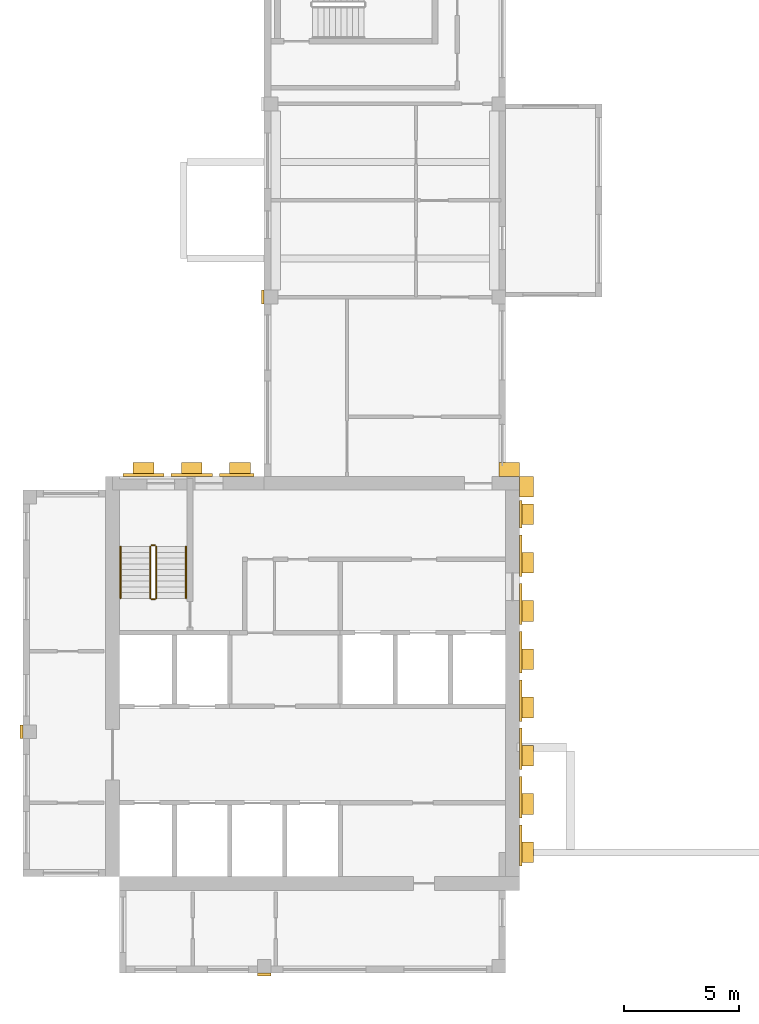
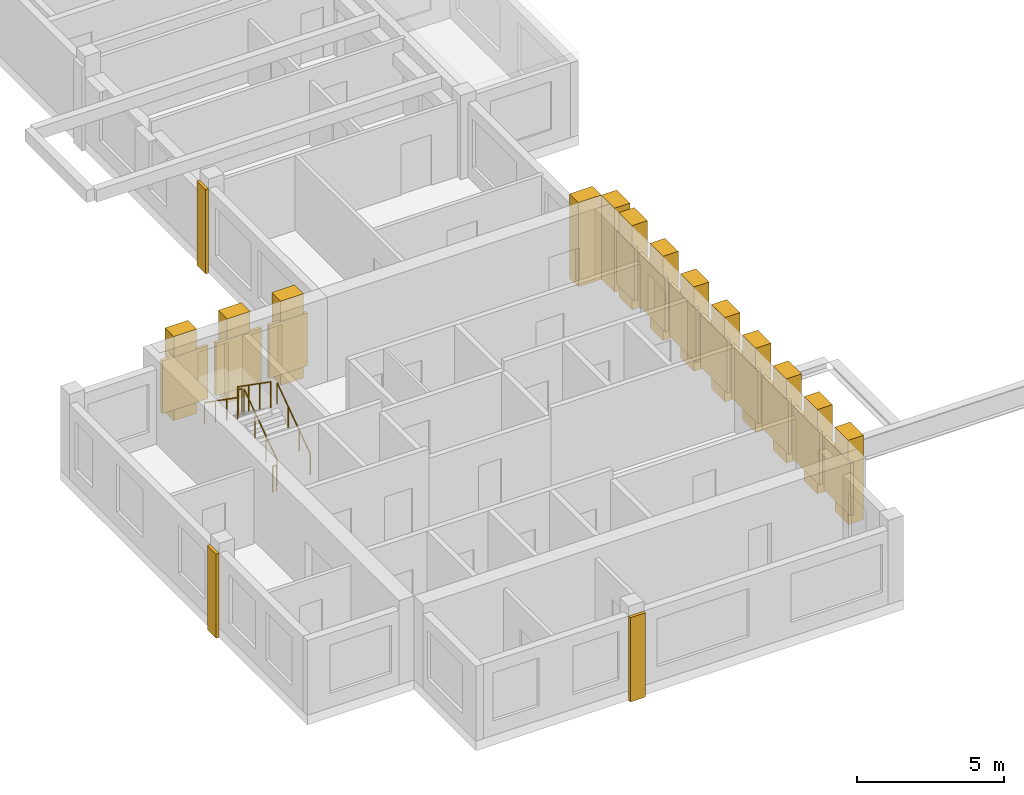
# One storey, part 6 of 8: 27 coverings, 6 railings.
"""IFC4 building model written with IfcOpenShell, lengths in metres."""

import ifcopenshell
import ifcopenshell.guid

model = None  # the IFC model being written
_history = None  # IfcOwnerHistory: only IFC2X3 demands one
_inside = {}  # id of a spatial element -> (the spatial element, [elements in it])
_under = {}  # id of a project, library or spatial element -> (it, [spatial elements below it])
_declared = {}  # id of a project -> (the project, [libraries it declares])
_typed = {}  # id of a type object -> (the type object, [elements of that type])
_made_of = {}  # id of a material, layer set ... -> (it, [elements and type objects made of it])


def new_model(schema):
    """Start an empty IFC model of exactly this schema.

    Asked for "IFC4X3", IfcOpenShell would pick the latest addendum, in which some entities
    have other attributes; the version numbers below select the first issue.
    IFC2X3 requires an IfcOwnerHistory on every rooted entity: one is made here for all.
    """
    global model, _history
    if schema == "IFC4X3":
        model = ifcopenshell.file(schema_version=(4, 3, 0, 0))
    else:
        model = ifcopenshell.file(schema=schema)
    _inside.clear()
    _under.clear()
    _declared.clear()
    _typed.clear()
    _made_of.clear()
    _history = None
    if model.schema == "IFC2X3":
        org = make("IfcOrganization", Name="unknown")
        user = make(
            "IfcPersonAndOrganization",
            ThePerson=make("IfcPerson", FamilyName="unknown"),
            TheOrganization=org,
        )
        app = make(
            "IfcApplication",
            ApplicationDeveloper=org,
            Version="unknown",
            ApplicationFullName="unknown",
            ApplicationIdentifier="unknown",
        )
        _history = make(
            "IfcOwnerHistory",
            OwningUser=user,
            OwningApplication=app,
            ChangeAction="ADDED",
            CreationDate=0,
        )
    return model


def make(cls, **values):
    """One entity of the class cls with the attributes given. An attribute that is None is left unset."""
    return model.create_entity(
        cls, **{name: value for name, value in values.items() if value is not None}
    )


def rooted(cls, **values):
    """An entity with a GlobalId (a new one), such as an element, a storey or a relation."""
    return make(cls, GlobalId=ifcopenshell.guid.new(), OwnerHistory=_history, **values)


def si_unit(unit_type, name, prefix=None):
    """IfcSIUnit, for example si_unit("LENGTHUNIT", "METRE", prefix="MILLI")."""
    return make("IfcSIUnit", UnitType=unit_type, Prefix=prefix, Name=name)


def assignment(units):
    """IfcUnitAssignment: the units of a project."""
    return None if units is None else make("IfcUnitAssignment", Units=units)


def point(xyz):
    """IfcCartesianPoint."""
    return None if xyz is None else make("IfcCartesianPoint", Coordinates=xyz)


def direction(xyz):
    """IfcDirection."""
    return None if xyz is None else make("IfcDirection", DirectionRatios=xyz)


def frame(location, z_axis=None, x_axis=None):
    """IfcAxis2Placement3D, a coordinate frame: its origin and axes. An axis left out is left unset."""
    return make(
        "IfcAxis2Placement3D",
        Location=point(location),
        Axis=direction(z_axis),
        RefDirection=direction(x_axis),
    )


def frame_2d(location, x_axis=None):
    """IfcAxis2Placement2D, a coordinate frame in the plane: its origin and x axis."""
    return make(
        "IfcAxis2Placement2D", Location=point(location), RefDirection=direction(x_axis)
    )


def origin():
    """The frame at (0, 0, 0) with its axes left unset."""
    return frame((0.0, 0.0, 0.0))


def origin_2d():
    """The frame at (0, 0) in the plane with its x axis left unset."""
    return frame_2d((0.0, 0.0))


def place(relative_to, where):
    """IfcLocalPlacement: puts the frame where relative to a parent placement (None: the world)."""
    return make(
        "IfcLocalPlacement", PlacementRelTo=relative_to, RelativePlacement=where
    )


def context(
    kind, dimensions, precision=None, world=None, true_north=None, identifier=None
):
    """IfcGeometricRepresentationContext, for example the 3D "Model" context."""
    return make(
        "IfcGeometricRepresentationContext",
        ContextIdentifier=identifier,
        ContextType=kind,
        CoordinateSpaceDimension=dimensions,
        Precision=precision,
        WorldCoordinateSystem=world,
        TrueNorth=true_north,
    )


def subcontext(parent, identifier, kind, view, scale=None):
    """IfcGeometricRepresentationSubContext, for example "Body" below "Model"."""
    return make(
        "IfcGeometricRepresentationSubContext",
        ContextIdentifier=identifier,
        ContextType=kind,
        ParentContext=parent,
        TargetScale=scale,
        TargetView=view,
    )


def project(units=None, contexts=None):
    """IfcProject with its units and contexts."""
    return rooted(
        "IfcProject",
        Name="project",
        RepresentationContexts=contexts,
        UnitsInContext=assignment(units),
    )


def spatial(cls, under=None, at=None, **own):
    """A site, building, storey or space (cls), placed at a placement, below another one or the project."""
    s = rooted(cls, ObjectPlacement=at, **own)
    if under is not None:
        _under.setdefault(under.id(), (under, []))[1].append(s)
    return s


def profile(cls, at=None, kind="AREA", **sizes):
    """A parametric profile (cls). Its sizes go by their IFC names, for example OverallWidth=200.0."""
    return make(cls, ProfileType=kind, Position=at, **sizes)


def rectangle(**sizes):
    """IfcRectangleProfileDef."""
    return profile("IfcRectangleProfileDef", **sizes)


def circle(**sizes):
    """IfcCircleProfileDef."""
    return profile("IfcCircleProfileDef", **sizes)


def extrude(swept, where, along, depth):
    """IfcExtrudedAreaSolid: the profile swept, set in the frame where, extruded along a direction by depth."""
    return make(
        "IfcExtrudedAreaSolid",
        SweptArea=swept,
        Position=where,
        ExtrudedDirection=direction(along),
        Depth=depth,
    )


def shape(context_of_items, identifier, shape_type, items):
    """IfcShapeRepresentation: the items that make up one representation, for example the "Body"."""
    return make(
        "IfcShapeRepresentation",
        ContextOfItems=context_of_items,
        RepresentationIdentifier=identifier,
        RepresentationType=shape_type,
        Items=items,
    )


def source(mapping_origin, context_of_items, identifier, shape_type, items):
    """IfcRepresentationMap: a shape defined once, which mapped items show again and again."""
    return make(
        "IfcRepresentationMap",
        MappingOrigin=mapping_origin,
        MappedRepresentation=shape(context_of_items, identifier, shape_type, items),
    )


def transform(
    local_origin,
    x_axis=None,
    y_axis=None,
    z_axis=None,
    scale=None,
    scale2=None,
    scale3=None,
    uniform=True,
):
    """IfcCartesianTransformationOperator3D, or its non-uniform kind. x_axis, y_axis, z_axis: its Axis1, 2, 3."""
    if uniform:
        return make(
            "IfcCartesianTransformationOperator3D",
            Axis1=direction(x_axis),
            Axis2=direction(y_axis),
            LocalOrigin=point(local_origin),
            Scale=scale,
            Axis3=direction(z_axis),
        )
    return make(
        "IfcCartesianTransformationOperator3DnonUniform",
        Axis1=direction(x_axis),
        Axis2=direction(y_axis),
        LocalOrigin=point(local_origin),
        Scale=scale,
        Axis3=direction(z_axis),
        Scale2=scale2,
        Scale3=scale3,
    )


def mapped(mapping_source, mapping_target):
    """IfcMappedItem: shows the shape of a source again, moved by a transform."""
    return make(
        "IfcMappedItem", MappingSource=mapping_source, MappingTarget=mapping_target
    )


def material(Name=None, Category=None):
    """IfcMaterial."""
    return make("IfcMaterial", Name=Name, Category=Category)


def made_of(thing, what):
    """Note that an element or type object is made of a material, layer set ...; save() writes the relation."""
    if what is not None:
        _made_of.setdefault(what.id(), (what, []))[1].append(thing)
    return thing


def type_object(cls, material=None, **own):
    """A type object (cls), such as IfcWallType, which elements share."""
    return made_of(rooted(cls, **own), material)


def element(
    cls,
    number,
    at=None,
    inside=None,
    cuts=None,
    type_object=None,
    material=None,
    context=None,
    identifier="Body",
    shape_type=None,
    held_by="IfcProductDefinitionShape",
    body=None,
    shapes=None,
    **own,
):
    """One element of the class cls, such as IfcWall. Its Tag is "e" and its number.

    at: its placement. inside: the storey or other place that contains it. cuts: it is an
    opening in that element (IfcRelVoidsElement). A single representation is given by context,
    identifier, shape_type and body (its items); several are given by shapes. held_by: the class
    of the entity that holds the representations. save() writes the other relations.
    """
    e = rooted(cls, Tag="e%d" % number, ObjectPlacement=at, **own)
    if body is not None:
        shapes = [shape(context, identifier, shape_type, body)]
    if shapes is not None:
        e.Representation = make(held_by, Representations=shapes)
    if inside is not None:
        _inside.setdefault(inside.id(), (inside, []))[1].append(e)
    if cuts is not None:
        rooted(
            "IfcRelVoidsElement", RelatingBuildingElement=cuts, RelatedOpeningElement=e
        )
    if type_object is not None:
        _typed.setdefault(type_object.id(), (type_object, []))[1].append(e)
    return made_of(e, material)


def aggregate(whole, parts):
    """IfcRelAggregates: a whole, such as a stair, and the parts it consists of."""
    return rooted("IfcRelAggregates", RelatingObject=whole, RelatedObjects=parts)


def save(model, path):
    """Write the relations noted so far, then the file.

    IfcRelAggregates (storeys below a building ...), IfcRelContainedInSpatialStructure (elements
    in a storey), IfcRelDefinesByType, IfcRelAssociatesMaterial and IfcRelDeclares: one each for
    every whole, place, type object, material and project.
    """
    for whole, parts in _under.values():
        aggregate(whole, parts)
    for where, things in _inside.values():
        rooted(
            "IfcRelContainedInSpatialStructure",
            RelatedElements=things,
            RelatingStructure=where,
        )
    for kind, things in _typed.values():
        rooted("IfcRelDefinesByType", RelatedObjects=things, RelatingType=kind)
    for what, things in _made_of.values():
        rooted("IfcRelAssociatesMaterial", RelatedObjects=things, RelatingMaterial=what)
    for by, libraries in _declared.values():
        rooted("IfcRelDeclares", RelatingContext=by, RelatedDefinitions=libraries)
    model.write(path)


model = new_model("IFC4")

# Units and contexts
model_context = context("Model", 3, precision=1e-05, world=origin(), true_north=direction((0.0, 1.0)))
body_context = subcontext(model_context, "Body", "Model", "MODEL_VIEW")
ifc_project = project(units=[si_unit("LENGTHUNIT", "METRE"), si_unit("AREAUNIT", "SQUARE_METRE"), si_unit("VOLUMEUNIT", "CUBIC_METRE"), si_unit("PLANEANGLEUNIT", "RADIAN"), si_unit("MASSUNIT", "GRAM", prefix="KILO")], contexts=[model_context])

# Site, building, storey
site_placement = place(None, origin())
site = spatial("IfcSite", under=ifc_project, at=site_placement, CompositionType="ELEMENT")
building_placement = place(site_placement, origin())
building = spatial("IfcBuilding", under=site, at=building_placement, Name="Aurelian Terraces", CompositionType="ELEMENT")
storey_placement = place(building_placement, frame((0.0, 0.0, 344.0)))
storey = spatial("IfcBuildingStorey", under=building, at=storey_placement, Name="L81", CompositionType="ELEMENT", Elevation=344.0)

# Coverings
ifc_material_1 = material(Name="Terracotta rainscreen cladding louvre blades", Category="masonry")
covering_type_1 = type_object("IfcCoveringType", Name="LOUVRE-TC", PredefinedType="CLADDING", material=ifc_material_1)
shared_shape_1 = source(origin(), body_context, "Body", "SweptSolid", [
    extrude(rectangle(XDim=0.12, YDim=1.8, at=origin_2d()), origin(), (0.0, 0.0, 1.0), 2.2),
])
for number, where, z_axis, x_axis, name in (
    (1, (21.66, 5.55, 0.45), (0.0, 0.0, 1.0), (1.0, 0.0, 0.0), "LOUVRE L81 core face E.1"),
    (2, (21.66, 7.65, 0.45), (0.0, 0.0, 1.0), (1.0, 0.0, 0.0), "LOUVRE L81 core face E.2"),
    (3, (21.66, 9.75, 0.45), (0.0, 0.0, 1.0), (1.0, 0.0, 0.0), "LOUVRE L81 core face E.3"),
    (4, (21.66, 11.85, 0.45), (0.0, 0.0, 1.0), (1.0, 0.0, 0.0), "LOUVRE L81 core face E.4"),
    (5, (21.66, 13.95, 0.45), (0.0, 0.0, 1.0), (1.0, 0.0, 0.0), "LOUVRE L81 core face E.5"),
    (6, (21.66, 16.05, 0.45), (0.0, 0.0, 1.0), (1.0, 0.0, 0.0), "LOUVRE L81 core face E.6"),
    (7, (21.66, 18.15, 0.45), (0.0, 0.0, 1.0), (1.0, 0.0, 0.0), "LOUVRE L81 core face E.7"),
):
    element("IfcCovering", number, at=place(storey_placement, frame(where, z_axis=z_axis, x_axis=x_axis)), inside=storey, type_object=covering_type_1, Name=name, PredefinedType="CLADDING", context=body_context, shape_type="MappedRepresentation", body=[
        mapped(shared_shape_1, transform((0.0, 0.0, 0.0), scale=1.0)),
    ])
shared_shape_2 = source(origin(), body_context, "Body", "SweptSolid", [
    extrude(rectangle(XDim=1.8, YDim=0.12, at=origin_2d()), origin(), (0.0, 0.0, 1.0), 2.2),
])
for number, where, z_axis, x_axis, name in (
    (8, (5.25, 21.66, 0.45), (0.0, 0.0, 1.0), (1.0, 0.0, 0.0), "LOUVRE L81 core face N.1"),
    (9, (7.35, 21.66, 0.45), (0.0, 0.0, 1.0), (1.0, 0.0, 0.0), "LOUVRE L81 core face N.2"),
):
    element("IfcCovering", number, at=place(storey_placement, frame(where, z_axis=z_axis, x_axis=x_axis)), inside=storey, type_object=covering_type_1, Name=name, PredefinedType="CLADDING", context=body_context, shape_type="MappedRepresentation", body=[
        mapped(shared_shape_2, transform((0.0, 0.0, 0.0), scale=1.0)),
    ])
shared_shape_3 = source(origin(), body_context, "Body", "SweptSolid", [
    extrude(rectangle(XDim=0.12, YDim=1.2, at=origin_2d()), origin(), (0.0, 0.0, 1.0), 2.2),
])
covering_1_placement = place(storey_placement, frame((21.66, 19.95, 0.45), z_axis=(0.0, 0.0, 1.0), x_axis=(1.0, 0.0, 0.0)))
element("IfcCovering", 10, at=covering_1_placement, inside=storey, type_object=covering_type_1, Name="LOUVRE L81 core face E.8", PredefinedType="CLADDING", context=body_context, shape_type="MappedRepresentation", body=[
    mapped(shared_shape_3, transform((0.0, 0.0, 0.0), scale=1.0)),
])
shared_shape_4 = source(origin(), body_context, "Body", "SweptSolid", [
    extrude(rectangle(XDim=1.5, YDim=0.12, at=origin_2d()), origin(), (0.0, 0.0, 1.0), 2.2),
])
covering_2_placement = place(storey_placement, frame((9.3, 21.66, 0.45), z_axis=(0.0, 0.0, 1.0), x_axis=(1.0, 0.0, 0.0)))
element("IfcCovering", 11, at=covering_2_placement, inside=storey, type_object=covering_type_1, Name="LOUVRE L81 core face N.3", PredefinedType="CLADDING", context=body_context, shape_type="MappedRepresentation", body=[
    mapped(shared_shape_4, transform((0.0, 0.0, 0.0), scale=1.0)),
])
ifc_material_2 = material(Name="Terracotta rainscreen cladding relief", Category="masonry")
covering_type_2 = type_object("IfcCoveringType", Name="BAGUETTE-TC", PredefinedType="CLADDING", material=ifc_material_2)
shared_shape_5 = source(origin(), body_context, "Body", "SweptSolid", [
    extrude(rectangle(XDim=0.6, YDim=0.12, at=origin_2d()), origin(), (0.0, 0.0, 1.0), 3.5),
])
covering_3_placement = place(storey_placement, frame((10.5, -0.06, -0.4), z_axis=(0.0, 0.0, 1.0), x_axis=(1.0, 0.0, 0.0)))
element("IfcCovering", 12, at=covering_3_placement, inside=storey, type_object=covering_type_2, Name="BAGUETTE pier L81 1", PredefinedType="CLADDING", context=body_context, shape_type="MappedRepresentation", body=[
    mapped(shared_shape_5, transform((0.0, 0.0, 0.0), scale=1.0)),
])
shared_shape_6 = source(origin(), body_context, "Body", "SweptSolid", [
    extrude(rectangle(XDim=0.12, YDim=0.6, at=origin_2d()), origin(), (0.0, 0.0, 1.0), 3.5),
])
for number, where, z_axis, x_axis, name in (
    (13, (-0.06, 10.5, -0.4), (0.0, 0.0, 1.0), (1.0, 0.0, 0.0), "BAGUETTE pier L81 3"),
    (14, (10.44, 29.4, -0.4), (0.0, 0.0, 1.0), (1.0, 0.0, 0.0), "BAGUETTE pier L81 4"),
):
    element("IfcCovering", number, at=place(storey_placement, frame(where, z_axis=z_axis, x_axis=x_axis)), inside=storey, type_object=covering_type_2, Name=name, PredefinedType="CLADDING", context=body_context, shape_type="MappedRepresentation", body=[
        mapped(shared_shape_6, transform((0.0, 0.0, 0.0), scale=1.0)),
    ])

# Railings
ifc_material_3 = material(Name="Stainless steel", Category="steel")
railing_type_1 = type_object("IfcRailingType", Name="Stair guard 1100", PredefinedType="GUARDRAIL", material=ifc_material_3)
shared_shape_7 = source(origin(), body_context, "Body", "SweptSolid", [
    extrude(circle(Radius=0.024, at=origin_2d()), frame((0.0, 0.0, 1.076), z_axis=(-1.0, 0.0, 0.0), x_axis=(0.0, -1.0, 0.0)), (0.0, 0.0, 1.0), 0.15),
    extrude(circle(Radius=0.021, at=origin_2d()), origin(), (0.0, 0.0, 1.0), 1.052),
    extrude(circle(Radius=0.021, at=origin_2d()), frame((-0.15, 0.0, 0.0)), (0.0, 0.0, 1.0), 1.052),
])
for number, where, name in (
    (15, (5.75, 18.6, 1.75), "L81 S1 stair guard 2"),
    (16, (5.75, 16.25, 0.0), "L81 S1 stair guard 4"),
):
    element("IfcRailing", number, at=place(storey_placement, frame(where)), inside=storey, type_object=railing_type_1, Name=name, PredefinedType="GUARDRAIL", context=body_context, shape_type="MappedRepresentation", body=[
        mapped(shared_shape_7, transform((0.0, 0.0, 0.0), scale=1.0)),
    ])
shared_shape_8 = source(origin(), body_context, "Body", "SweptSolid", [
    extrude(circle(Radius=0.024, at=origin_2d()), frame((0.0, 0.0, 1.076), z_axis=(0.0, 0.819231920519, 0.573462344363), x_axis=(-1.0, 0.0, 0.0)), (0.0, 0.0, 1.0), 2.7465),
    extrude(circle(Radius=0.021, at=origin_2d()), origin(), (0.0, 0.0, 1.0), 1.052),
    extrude(circle(Radius=0.021, at=origin_2d()), frame((0.0, 0.75, 0.525)), (0.0, 0.0, 1.0), 1.052),
    extrude(circle(Radius=0.021, at=origin_2d()), frame((0.0, 1.5, 1.05)), (0.0, 0.0, 1.0), 1.052),
    extrude(circle(Radius=0.021, at=origin_2d()), frame((0.0, 2.25, 1.575)), (0.0, 0.0, 1.0), 1.052),
])
railing_1_placement = place(storey_placement, frame((5.8, 16.3, 0.175)))
element("IfcRailing", 17, at=railing_1_placement, inside=storey, type_object=railing_type_1, Name="L81 S1 stair guard 1", PredefinedType="GUARDRAIL", context=body_context, shape_type="MappedRepresentation", body=[
    mapped(shared_shape_8, transform((0.0, 0.0, 0.0), scale=1.0)),
])
shared_shape_9 = source(origin(), body_context, "Body", "SweptSolid", [
    extrude(circle(Radius=0.024, at=origin_2d()), frame((0.0, 0.0, 1.076), z_axis=(0.0, -0.819231920519, 0.573462344363), x_axis=(1.0, 0.0, 0.0)), (0.0, 0.0, 1.0), 2.7465),
    extrude(circle(Radius=0.021, at=origin_2d()), origin(), (0.0, 0.0, 1.0), 1.052),
    extrude(circle(Radius=0.021, at=origin_2d()), frame((0.0, -0.75, 0.525)), (0.0, 0.0, 1.0), 1.052),
    extrude(circle(Radius=0.021, at=origin_2d()), frame((0.0, -1.5, 1.05)), (0.0, 0.0, 1.0), 1.052),
    extrude(circle(Radius=0.021, at=origin_2d()), frame((0.0, -2.25, 1.575)), (0.0, 0.0, 1.0), 1.052),
])
railing_2_placement = place(storey_placement, frame((5.55, 18.55, 1.925)))
element("IfcRailing", 18, at=railing_2_placement, inside=storey, type_object=railing_type_1, Name="L81 S1 stair guard 3", PredefinedType="GUARDRAIL", context=body_context, shape_type="MappedRepresentation", body=[
    mapped(shared_shape_9, transform((0.0, 0.0, 0.0), scale=1.0)),
])
railing_type_2 = type_object("IfcRailingType", Name="Stair handrail", PredefinedType="HANDRAIL", material=ifc_material_3)
shared_shape_10 = source(origin(), body_context, "Body", "SweptSolid", [
    extrude(circle(Radius=0.024, at=origin_2d()), frame((0.0, 0.0, 0.876), z_axis=(0.0, 0.819231920519, 0.573462344363), x_axis=(-1.0, 0.0, 0.0)), (0.0, 0.0, 1.0), 2.7465),
    extrude(circle(Radius=0.021, at=origin_2d()), origin(), (0.0, 0.0, 1.0), 0.852),
    extrude(circle(Radius=0.021, at=origin_2d()), frame((0.0, 0.75, 0.525)), (0.0, 0.0, 1.0), 0.852),
    extrude(circle(Radius=0.021, at=origin_2d()), frame((0.0, 1.5, 1.05)), (0.0, 0.0, 1.0), 0.852),
    extrude(circle(Radius=0.021, at=origin_2d()), frame((0.0, 2.25, 1.575)), (0.0, 0.0, 1.0), 0.852),
])
railing_3_placement = place(storey_placement, frame((7.1, 16.3, 0.175)))
element("IfcRailing", 19, at=railing_3_placement, inside=storey, type_object=railing_type_2, Name="L81 S1 stair handrail 1", PredefinedType="HANDRAIL", context=body_context, shape_type="MappedRepresentation", body=[
    mapped(shared_shape_10, transform((0.0, 0.0, 0.0), scale=1.0)),
])
shared_shape_11 = source(origin(), body_context, "Body", "SweptSolid", [
    extrude(circle(Radius=0.024, at=origin_2d()), frame((0.0, 0.0, 0.876), z_axis=(0.0, -0.819231920519, 0.573462344363), x_axis=(1.0, 0.0, 0.0)), (0.0, 0.0, 1.0), 2.7465),
    extrude(circle(Radius=0.021, at=origin_2d()), origin(), (0.0, 0.0, 1.0), 0.852),
    extrude(circle(Radius=0.021, at=origin_2d()), frame((0.0, -0.75, 0.525)), (0.0, 0.0, 1.0), 0.852),
    extrude(circle(Radius=0.021, at=origin_2d()), frame((0.0, -1.5, 1.05)), (0.0, 0.0, 1.0), 0.852),
    extrude(circle(Radius=0.021, at=origin_2d()), frame((0.0, -2.25, 1.575)), (0.0, 0.0, 1.0), 0.852),
])
railing_4_placement = place(storey_placement, frame((4.25, 18.55, 1.925)))
element("IfcRailing", 20, at=railing_4_placement, inside=storey, type_object=railing_type_2, Name="L81 S1 stair handrail 2", PredefinedType="HANDRAIL", context=body_context, shape_type="MappedRepresentation", body=[
    mapped(shared_shape_11, transform((0.0, 0.0, 0.0), scale=1.0)),
])

# Coverings
covering_type_3 = type_object("IfcCoveringType", Name="Core spine pier 900x600", PredefinedType="CLADDING", material=ifc_material_2)
shared_shape_12 = source(origin(), body_context, "Body", "SweptSolid", [
    extrude(rectangle(XDim=0.6, YDim=0.9, at=origin_2d()), origin(), (0.0, 0.0, 1.0), 3.5),
])
for number, where, z_axis, x_axis, name in (
    (21, (21.9, 5.25, 0.0), (0.0, 0.0, 1.0), (1.0, 0.0, 0.0), "Spine pier L81 E1"),
    (22, (21.9, 7.35, 0.0), (0.0, 0.0, 1.0), (1.0, 0.0, 0.0), "Spine pier L81 E2"),
    (23, (21.9, 9.45, 0.0), (0.0, 0.0, 1.0), (1.0, 0.0, 0.0), "Spine pier L81 E3"),
    (24, (21.9, 11.55, 0.0), (0.0, 0.0, 1.0), (1.0, 0.0, 0.0), "Spine pier L81 E4"),
    (25, (21.9, 13.65, 0.0), (0.0, 0.0, 1.0), (1.0, 0.0, 0.0), "Spine pier L81 E5"),
    (26, (21.9, 15.75, 0.0), (0.0, 0.0, 1.0), (1.0, 0.0, 0.0), "Spine pier L81 E6"),
    (27, (21.9, 17.85, 0.0), (0.0, 0.0, 1.0), (1.0, 0.0, 0.0), "Spine pier L81 E7"),
    (28, (21.9, 19.95, 0.0), (0.0, 0.0, 1.0), (1.0, 0.0, 0.0), "Spine pier L81 E8"),
    (29, (21.9, 21.15, 0.0), (0.0, 0.0, 1.0), (1.0, 0.0, 0.0), "Spine pier L81 corner east"),
):
    element("IfcCovering", number, at=place(storey_placement, frame(where, z_axis=z_axis, x_axis=x_axis)), inside=storey, type_object=covering_type_3, Name=name, PredefinedType="CLADDING", context=body_context, shape_type="MappedRepresentation", body=[
        mapped(shared_shape_12, transform((0.0, 0.0, 0.0), scale=1.0)),
    ])
shared_shape_13 = source(origin(), body_context, "Body", "SweptSolid", [
    extrude(rectangle(XDim=0.9, YDim=0.6, at=origin_2d()), origin(), (0.0, 0.0, 1.0), 3.5),
])
for number, where, z_axis, x_axis, name in (
    (30, (5.25, 21.9, 0.0), (0.0, 0.0, 1.0), (1.0, 0.0, 0.0), "Spine pier L81 N9"),
    (31, (7.35, 21.9, 0.0), (0.0, 0.0, 1.0), (1.0, 0.0, 0.0), "Spine pier L81 N10"),
    (32, (9.45, 21.9, 0.0), (0.0, 0.0, 1.0), (1.0, 0.0, 0.0), "Spine pier L81 N11"),
    (33, (21.15, 21.9, 0.0), (0.0, 0.0, 1.0), (1.0, 0.0, 0.0), "Spine pier L81 corner north"),
):
    element("IfcCovering", number, at=place(storey_placement, frame(where, z_axis=z_axis, x_axis=x_axis)), inside=storey, type_object=covering_type_3, Name=name, PredefinedType="CLADDING", context=body_context, shape_type="MappedRepresentation", body=[
        mapped(shared_shape_13, transform((0.0, 0.0, 0.0), scale=1.0)),
    ])

save(model, "model.ifc")
